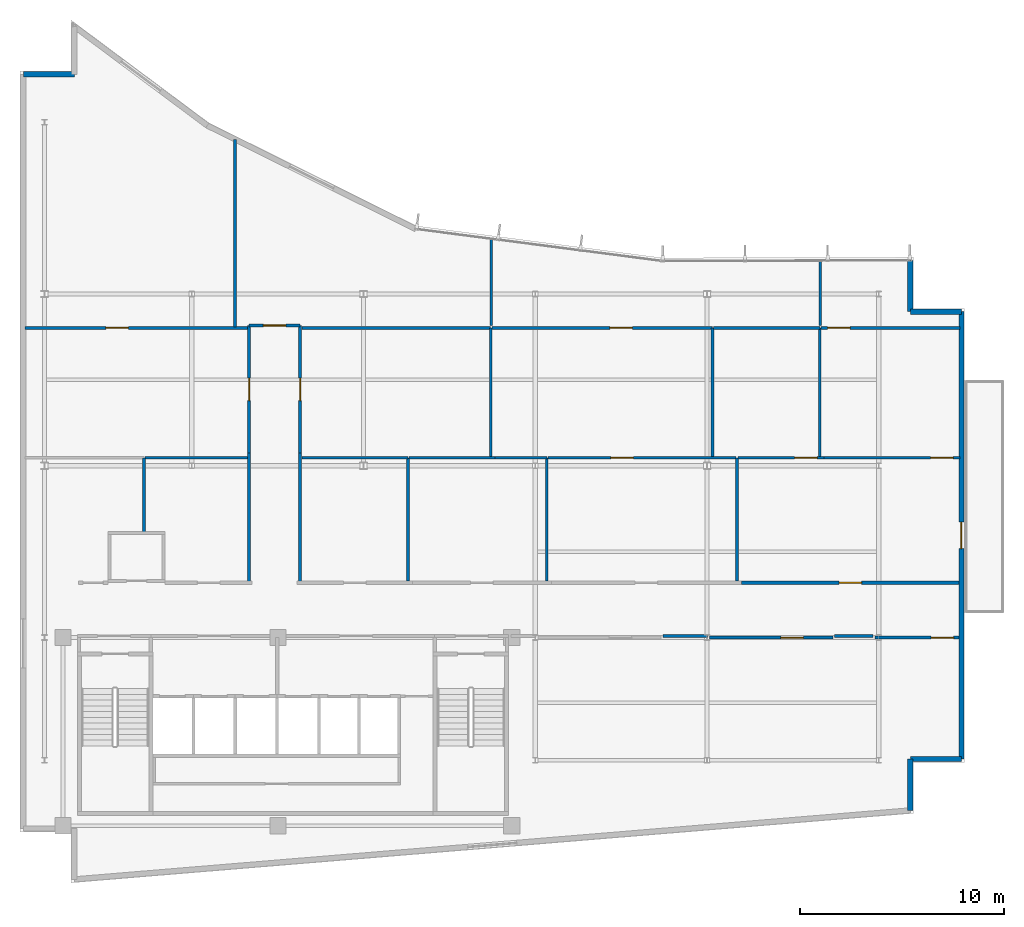
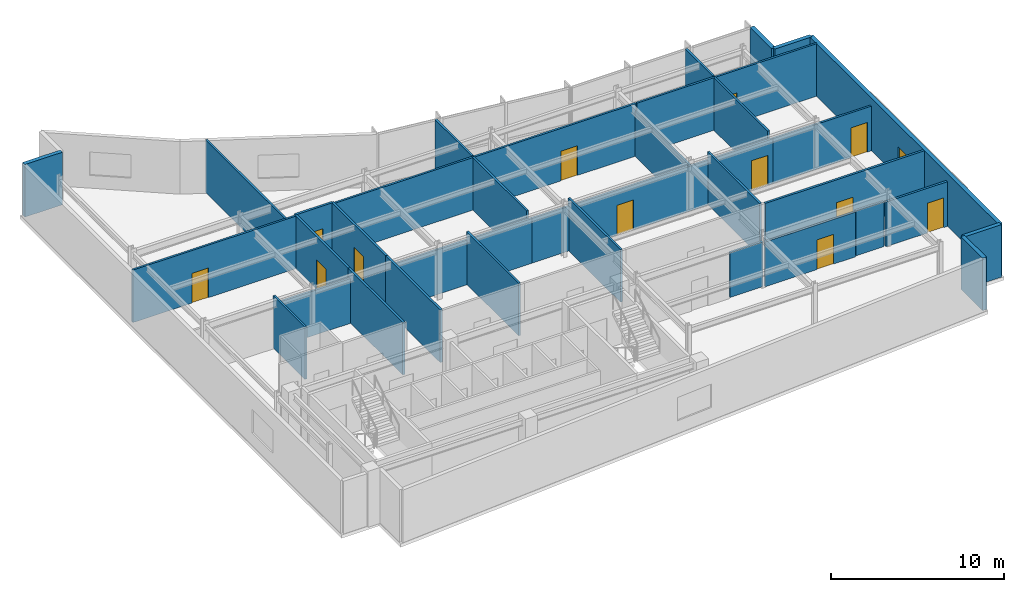
# One storey, part 11 of 15: 38 walls, 13 doors, 13 openings.
"""IFC4 building model written with IfcOpenShell, lengths in metres."""

from ifc_helpers import new_model, si_unit, direction, frame, frame_2d, origin, place, context, subcontext, project, spatial, rectangle, extrude, material, layer, layer_set, type_object, element, fill, save


model = new_model("IFC4")

# Units and contexts
model_context = context("Model", 3, precision=1e-05, world=origin(), true_north=direction((0.0, 1.0)))
body_context = subcontext(model_context, "Body", "Model", "MODEL_VIEW")
ifc_project = project(units=[si_unit("LENGTHUNIT", "METRE"), si_unit("AREAUNIT", "SQUARE_METRE"), si_unit("VOLUMEUNIT", "CUBIC_METRE"), si_unit("PLANEANGLEUNIT", "RADIAN"), si_unit("MASSUNIT", "GRAM", prefix="KILO")], contexts=[model_context])

# Site, building, storey
site_placement = place(None, origin())
site = spatial("IfcSite", under=ifc_project, at=site_placement, CompositionType="ELEMENT")
building_placement = place(site_placement, origin())
building = spatial("IfcBuilding", under=site, at=building_placement, Name="Varnakote Quay Hospital", CompositionType="ELEMENT")
storey_placement = place(building_placement, frame((0.0, 0.0, 252.60009765625)))
storey = spatial("IfcBuildingStorey", under=building, at=storey_placement, Name="L62", CompositionType="ELEMENT", Elevation=252.60009765625)

# Walls
ifc_material_1 = material(Name="Fire-rated acoustic gypsum stud wall", Category="gypsum")
ifc_layer_1 = layer(ifc_material_1, 0.159912109375)
ifc_layer_set_1 = layer_set([ifc_layer_1], Name="Fire-rated acoustic gypsum stud wall")
wall_type_1 = type_object("IfcWallType", Name="WL-COMP-160", PredefinedType="PARTITIONING", material=ifc_layer_set_1)
wall_1_placement = place(storey_placement, frame((31.439208984375, 12.080078125, 0.0), z_axis=(0.0, 0.0, 1.0), x_axis=(1.0, 0.0, 0.0)))
element("IfcWall", 1, at=wall_1_placement, inside=storey, type_object=wall_type_1, Name="L62 Corridor South Gap Wall", PredefinedType="PARTITIONING", context=body_context, shape_type="SweptSolid", body=[
    extrude(rectangle(XDim=2.198486328125, YDim=0.159912109375, at=frame_2d((1.09912109375, 0.0))), origin(), (0.0, 0.0, 1.0), 3.156982421875),
])
wall_2_placement = place(storey_placement, frame((39.83935546875, 12.080078125, 0.0), z_axis=(0.0, 0.0, 1.0), x_axis=(1.0, 0.0, 0.0)))
element("IfcWall", 2, at=wall_2_placement, inside=storey, type_object=wall_type_1, Name="L62 Corridor South Gap Wall", PredefinedType="PARTITIONING", context=body_context, shape_type="SweptSolid", body=[
    extrude(rectangle(XDim=1.871337890625, YDim=0.159912109375, at=frame_2d((0.935546875, 0.0))), origin(), (0.0, 0.0, 1.0), 3.156982421875),
])
ifc_material_2 = material(Name="Precast concrete N50 (f'c 50 MPa)", Category="concrete")
ifc_layer_2 = layer(ifc_material_2, 0.260009765625)
ifc_layer_set_2 = layer_set([ifc_layer_2], Name="Precast concrete N50 (f'c 50 MPa)")
wall_type_2 = type_object("IfcWallType", Name="WL-EXT-BRICK-260", PredefinedType="STANDARD", material=ifc_layer_set_2)
wall_3_placement = place(storey_placement, frame((43.5400390625, 3.54736328125, 0.0), z_axis=(0.0, 0.0, 1.0), x_axis=(0.0, 1.0, 0.0)))
element("IfcWall", 3, at=wall_3_placement, inside=storey, type_object=wall_type_2, Name="L62 Brick-Faced Precast Exterior Wall", PredefinedType="STANDARD", context=body_context, shape_type="SweptSolid", body=[
    extrude(rectangle(XDim=2.5126953125, YDim=0.260009765625, at=frame_2d((1.25634765625, 0.0))), origin(), (0.0, 0.0, 1.0), 3.7099609375),
])
wall_4_placement = place(storey_placement, frame((43.5400390625, 6.06005859375, 0.0), z_axis=(0.0, 0.0, 1.0), x_axis=(1.0, 0.0, 0.0)))
element("IfcWall", 4, at=wall_4_placement, inside=storey, type_object=wall_type_2, Name="L62 Brick-Faced Precast Exterior Wall", PredefinedType="STANDARD", context=body_context, shape_type="SweptSolid", body=[
    extrude(rectangle(XDim=2.5, YDim=0.260009765625, at=frame_2d((1.25, 0.0))), origin(), (0.0, 0.0, 1.0), 3.7099609375),
])

# Wall, opening, door
wall_5_placement = place(storey_placement, frame((46.0400390625, 6.06005859375, 0.0), z_axis=(0.0, 0.0, 1.0), x_axis=(0.0, 1.0, 0.0)))
wall_5 = element("IfcWall", 5, at=wall_5_placement, inside=storey, type_object=wall_type_2, Name="L62 Healing Terrace Portal Brick Wall", PredefinedType="STANDARD", context=body_context, shape_type="SweptSolid", body=[
    extrude(rectangle(XDim=21.8798828125, YDim=0.260009765625, at=frame_2d((10.93994140625, 0.0))), origin(), (0.0, 0.0, 1.0), 3.7099609375),
])
opening_1_placement = place(wall_5_placement, frame((10.2900390625, 0.0, 0.0)))
opening_1 = element("IfcOpeningElement", 6, at=opening_1_placement, cuts=wall_5, Name="Opening DT-L62", PredefinedType="OPENING", context=body_context, shape_type="SweptSolid", body=[
    extrude(rectangle(XDim=1.300048828125, YDim=2.14990234375, at=frame_2d((0.64990234375, 1.074951171875))), frame((0.0, 0.139892578125, 0.0), z_axis=(0.0, -1.0, 0.0), x_axis=(1.0, 0.0, 0.0)), (0.0, 0.0, 1.0), 0.280029296875),
])
ifc_material_3 = material(Name="Anodised aluminium glazed terrace door", Category="aluminium")
door_type_1 = type_object("IfcDoorType", Name="DR-EXT-TERR-1300x2150", OperationType="NOTDEFINED", PredefinedType="DOOR", material=ifc_material_3)
door_1_placement = place(opening_1_placement, origin())
door_1 = element("IfcDoor", 7, at=door_1_placement, inside=storey, type_object=door_type_1, Name="L62 Waterfront Healing Terrace Door", OperationType="SINGLE_SWING_LEFT", OverallHeight=2.14990234375, OverallWidth=1.300048828125, PredefinedType="DOOR", context=body_context, shape_type="SweptSolid", body=[
    extrude(rectangle(XDim=1.300048828125, YDim=2.14990234375, at=frame_2d((0.64990234375, 1.074951171875))), frame((0.0, 0.02490234375, 0.0), z_axis=(0.0, -1.0, 0.0), x_axis=(1.0, 0.0, 0.0)), (0.0, 0.0, 1.0), 0.050048828125),
])
fill(opening_1, door_1)

# Walls
wall_6_placement = place(storey_placement, frame((46.0400390625, 27.93994140625, 0.0), z_axis=(0.0, 0.0, 1.0), x_axis=(-1.0, 0.0, 0.0)))
element("IfcWall", 8, at=wall_6_placement, inside=storey, type_object=wall_type_2, Name="L62 Brick-Faced Precast Exterior Wall", PredefinedType="STANDARD", context=body_context, shape_type="SweptSolid", body=[
    extrude(rectangle(XDim=2.5, YDim=0.260009765625, at=frame_2d((1.25, 0.0))), origin(), (0.0, 0.0, 1.0), 3.7099609375),
])
wall_7_placement = place(storey_placement, frame((43.5400390625, 27.93994140625, 0.0), z_axis=(0.0, 0.0, 1.0), x_axis=(0.0, 1.0, 0.0)))
element("IfcWall", 9, at=wall_7_placement, inside=storey, type_object=wall_type_2, Name="L62 Brick-Faced Precast Exterior Wall", PredefinedType="STANDARD", context=body_context, shape_type="SweptSolid", body=[
    extrude(rectangle(XDim=2.499755859375, YDim=0.260009765625, at=frame_2d((1.25, 0.0))), origin(), (0.0, 0.0, 1.0), 3.7099609375),
])
wall_8_placement = place(storey_placement, frame((2.659912109375, 39.5400390625, 0.0), z_axis=(0.0, 0.0, 1.0), x_axis=(-1.0, 0.0, 0.0)))
element("IfcWall", 10, at=wall_8_placement, inside=storey, type_object=wall_type_2, Name="L62 Brick-Faced Precast Exterior Wall", PredefinedType="STANDARD", context=body_context, shape_type="SweptSolid", body=[
    extrude(rectangle(XDim=2.5, YDim=0.260009765625, at=frame_2d((1.25, 0.0))), origin(), (0.0, 0.0, 1.0), 3.7099609375),
])
ifc_material_4 = material(Name="Smoke-proof clinical partition", Category="gypsum")
ifc_layer_3 = layer(ifc_material_4, 0.135009765625)
ifc_layer_set_3 = layer_set([ifc_layer_3], Name="Smoke-proof clinical partition")
wall_type_3 = type_object("IfcWallType", Name="WL-SMOKE-135", PredefinedType="PARTITIONING", material=ifc_layer_set_3)
wall_9_placement = place(storey_placement, frame((6.06005859375, 17.139892578125, 0.0), z_axis=(0.0, 0.0, 1.0), x_axis=(0.0, 1.0, 0.0)))
element("IfcWall", 11, at=wall_9_placement, inside=storey, type_object=wall_type_3, Name="L62 Clinical Interior Partition", PredefinedType="PARTITIONING", context=body_context, shape_type="SweptSolid", body=[
    extrude(rectangle(XDim=3.650146484375, YDim=0.135009765625, at=frame_2d((1.8251953125, 0.0))), origin(), (0.0, 0.0, 1.0), 3.7099609375),
])
wall_10_placement = place(storey_placement, frame((11.1201171875, 20.7900390625, 0.0), z_axis=(0.0, 0.0, 1.0), x_axis=(-1.0, 0.0, 0.0)))
element("IfcWall", 12, at=wall_10_placement, inside=storey, type_object=wall_type_3, Name="L62 Clinical Interior Partition", PredefinedType="PARTITIONING", context=body_context, shape_type="SweptSolid", body=[
    extrude(rectangle(XDim=5.002685546875, YDim=0.135009765625, at=frame_2d((2.50146484375, 0.0))), origin(), (0.0, 0.0, 1.0), 3.156982421875),
])
wall_11_placement = place(storey_placement, frame((18.969970703125, 14.760009765625, 0.0), z_axis=(0.0, 0.0, 1.0), x_axis=(0.0, 1.0, 0.0)))
element("IfcWall", 13, at=wall_11_placement, inside=storey, type_object=wall_type_3, Name="L62 Clinical Interior Partition", PredefinedType="PARTITIONING", context=body_context, shape_type="SweptSolid", body=[
    extrude(rectangle(XDim=6.030029296875, YDim=0.135009765625, at=frame_2d((3.01513671875, 0.0))), origin(), (0.0, 0.0, 1.0), 3.7099609375),
])
wall_12_placement = place(storey_placement, frame((18.969970703125, 20.7900390625, 0.0), z_axis=(0.0, 0.0, 1.0), x_axis=(-1.0, 0.0, 0.0)))
element("IfcWall", 14, at=wall_12_placement, inside=storey, type_object=wall_type_3, Name="L62 Clinical Interior Partition", PredefinedType="PARTITIONING", context=body_context, shape_type="SweptSolid", body=[
    extrude(rectangle(XDim=5.18994140625, YDim=0.135009765625, at=frame_2d((2.594970703125, 0.0))), origin(), (0.0, 0.0, 1.0), 3.156982421875),
])
wall_13_placement = place(storey_placement, frame((25.760009765625, 14.760009765625, 0.0), z_axis=(0.0, 0.0, 1.0), x_axis=(0.0, 1.0, 0.0)))
element("IfcWall", 15, at=wall_13_placement, inside=storey, type_object=wall_type_3, Name="L62 Clinical Interior Partition", PredefinedType="PARTITIONING", context=body_context, shape_type="SweptSolid", body=[
    extrude(rectangle(XDim=6.030029296875, YDim=0.135009765625, at=frame_2d((3.01513671875, 0.0))), origin(), (0.0, 0.0, 1.0), 3.7099609375),
])
wall_14_placement = place(storey_placement, frame((23.2275390625, 20.7900390625, 0.0), z_axis=(0.0, 0.0, 1.0), x_axis=(-1.0, 0.0, 0.0)))
element("IfcWall", 16, at=wall_14_placement, inside=storey, type_object=wall_type_3, Name="L62 Clinical Interior Partition", PredefinedType="PARTITIONING", context=body_context, shape_type="SweptSolid", body=[
    extrude(rectangle(XDim=4.199951171875, YDim=0.135009765625, at=frame_2d((2.10009765625, 0.0))), origin(), (0.0, 0.0, 1.0), 3.156982421875),
])
wall_15_placement = place(storey_placement, frame((25.760009765625, 20.7900390625, 0.0), z_axis=(0.0, 0.0, 1.0), x_axis=(-1.0, 0.0, 0.0)))
element("IfcWall", 17, at=wall_15_placement, inside=storey, type_object=wall_type_3, Name="L62 Clinical Interior Partition", PredefinedType="PARTITIONING", context=body_context, shape_type="SweptSolid", body=[
    extrude(rectangle(XDim=2.530517578125, YDim=0.135009765625, at=frame_2d((1.26513671875, 0.0))), origin(), (0.0, 0.0, 1.0), 3.156982421875),
])
wall_16_placement = place(storey_placement, frame((35.06005859375, 14.760009765625, 0.0), z_axis=(0.0, 0.0, 1.0), x_axis=(0.0, 1.0, 0.0)))
element("IfcWall", 18, at=wall_16_placement, inside=storey, type_object=wall_type_3, Name="L62 Clinical Interior Partition", PredefinedType="PARTITIONING", context=body_context, shape_type="SweptSolid", body=[
    extrude(rectangle(XDim=6.030029296875, YDim=0.135009765625, at=frame_2d((3.01513671875, 0.0))), origin(), (0.0, 0.0, 1.0), 3.7099609375),
])

# Wall, opening, door
wall_17_placement = place(storey_placement, frame((35.00244140625, 20.7900390625, 0.0), z_axis=(0.0, 0.0, 1.0), x_axis=(-1.0, 0.0, 0.0)))
wall_17 = element("IfcWall", 19, at=wall_17_placement, inside=storey, type_object=wall_type_3, Name="L62 Clinical Interior Partition", PredefinedType="PARTITIONING", context=body_context, shape_type="SweptSolid", body=[
    extrude(rectangle(XDim=9.18505859375, YDim=0.135009765625, at=frame_2d((4.592529296875, 0.0))), origin(), (0.0, 0.0, 1.0), 3.156982421875),
])
opening_2_placement = place(wall_17_placement, frame((5.003173828125, 0.0, 0.0)))
opening_2 = element("IfcOpeningElement", 20, at=opening_2_placement, cuts=wall_17, Name="Opening D-L62-MD09", PredefinedType="OPENING", context=body_context, shape_type="SweptSolid", body=[
    extrude(rectangle(XDim=1.10009765625, YDim=2.10009765625, at=frame_2d((0.550048828125, 1.050048828125))), frame((0.0, 0.077392578125, 0.0), z_axis=(0.0, -1.0, 0.0), x_axis=(1.0, 0.0, 0.0)), (0.0, 0.0, 1.0), 0.155029296875),
])
ifc_material_5 = material(Name="Acoustic timber clinical consult door", Category="wood")
door_type_2 = type_object("IfcDoorType", Name="DR-CLIN-FD30S-1100x2100", OperationType="NOTDEFINED", PredefinedType="DOOR", material=ifc_material_5)
door_2_placement = place(opening_2_placement, origin())
door_2 = element("IfcDoor", 21, at=door_2_placement, inside=storey, type_object=door_type_2, Name="L62 Clinical Simulation Teaching Room Door", OperationType="SINGLE_SWING_RIGHT", OverallHeight=2.10009765625, OverallWidth=1.10009765625, PredefinedType="DOOR", context=body_context, shape_type="SweptSolid", body=[
    extrude(rectangle(XDim=1.10009765625, YDim=2.10009765625, at=frame_2d((0.550048828125, 1.050048828125))), frame((0.0, 0.02490234375, 0.0), z_axis=(0.0, -1.0, 0.0), x_axis=(1.0, 0.0, 0.0)), (0.0, 0.0, 1.0), 0.050048828125),
])
fill(opening_2, door_2)

wall_18_placement = place(storey_placement, frame((39.3173828125, 20.7900390625, 0.0), z_axis=(0.0, 0.0, 1.0), x_axis=(-1.0, 0.0, 0.0)))
wall_18 = element("IfcWall", 22, at=wall_18_placement, inside=storey, type_object=wall_type_3, Name="L62 Clinical Interior Partition", PredefinedType="PARTITIONING", context=body_context, shape_type="SweptSolid", body=[
    extrude(rectangle(XDim=4.199951171875, YDim=0.135009765625, at=frame_2d((2.10009765625, 0.0))), origin(), (0.0, 0.0, 1.0), 3.156982421875),
])
opening_3_placement = place(wall_18_placement, frame((0.3349609375, 0.0, 0.0)))
opening_3 = element("IfcOpeningElement", 23, at=opening_3_placement, cuts=wall_18, Name="Opening D-L62-MD10", PredefinedType="OPENING", context=body_context, shape_type="SweptSolid", body=[
    extrude(rectangle(XDim=1.10009765625, YDim=2.10009765625, at=frame_2d((0.550048828125, 1.050048828125))), frame((0.0, 0.077392578125, 0.0), z_axis=(0.0, -1.0, 0.0), x_axis=(1.0, 0.0, 0.0)), (0.0, 0.0, 1.0), 0.155029296875),
])
door_3_placement = place(opening_3_placement, origin())
door_3 = element("IfcDoor", 24, at=door_3_placement, inside=storey, type_object=door_type_2, Name="L62 Rehabilitation Therapy Treatment Suite Door", OperationType="SINGLE_SWING_LEFT", OverallHeight=2.10009765625, OverallWidth=1.10009765625, PredefinedType="DOOR", context=body_context, shape_type="SweptSolid", body=[
    extrude(rectangle(XDim=1.10009765625, YDim=2.10009765625, at=frame_2d((0.550048828125, 1.050048828125))), frame((0.0, 0.02490234375, 0.0), z_axis=(0.0, -1.0, 0.0), x_axis=(1.0, 0.0, 0.0)), (0.0, 0.0, 1.0), 0.050048828125),
])
fill(opening_3, door_3)

wall_19_placement = place(storey_placement, frame((45.9599609375, 20.7900390625, 0.0), z_axis=(0.0, 0.0, 1.0), x_axis=(-1.0, 0.0, 0.0)))
wall_19 = element("IfcWall", 25, at=wall_19_placement, inside=storey, type_object=wall_type_3, Name="L62 Clinical Interior Partition", PredefinedType="PARTITIONING", context=body_context, shape_type="SweptSolid", body=[
    extrude(rectangle(XDim=6.640380859375, YDim=0.135009765625, at=frame_2d((3.3203125, 0.0))), origin(), (0.0, 0.0, 1.0), 3.156982421875),
])
opening_4_placement = place(wall_19_placement, frame((0.32861328125, 0.0, 0.0)))
opening_4 = element("IfcOpeningElement", 26, at=opening_4_placement, cuts=wall_19, Name="Opening D-L62-DLNG", PredefinedType="OPENING", context=body_context, shape_type="SweptSolid", body=[
    extrude(rectangle(XDim=1.10009765625, YDim=2.10009765625, at=frame_2d((0.550048828125, 1.050048828125))), frame((0.0, 0.077392578125, 0.0), z_axis=(0.0, -1.0, 0.0), x_axis=(1.0, 0.0, 0.0)), (0.0, 0.0, 1.0), 0.155029296875),
])
door_4_placement = place(opening_4_placement, origin())
door_4 = element("IfcDoor", 27, at=door_4_placement, inside=storey, type_object=door_type_2, Name="L62 Waterfront Patient & Family Dayroom Door", OperationType="SINGLE_SWING_RIGHT", OverallHeight=2.10009765625, OverallWidth=1.10009765625, PredefinedType="DOOR", context=body_context, shape_type="SweptSolid", body=[
    extrude(rectangle(XDim=1.10009765625, YDim=2.10009765625, at=frame_2d((0.550048828125, 1.050048828125))), frame((0.0, 0.02490234375, 0.0), z_axis=(0.0, -1.0, 0.0), x_axis=(1.0, 0.0, 0.0)), (0.0, 0.0, 1.0), 0.050048828125),
])
fill(opening_4, door_4)

wall_20_placement = place(storey_placement, frame((11.135009765625, 27.139892578125, 0.0), z_axis=(0.0, 0.0, 1.0), x_axis=(-1.0, 0.0, 0.0)))
wall_20 = element("IfcWall", 28, at=wall_20_placement, inside=storey, type_object=wall_type_3, Name="L62 Clinical Interior Partition", PredefinedType="PARTITIONING", context=body_context, shape_type="SweptSolid", body=[
    extrude(rectangle(XDim=10.89501953125, YDim=0.135009765625, at=frame_2d((5.447509765625, 0.0))), origin(), (0.0, 0.0, 1.0), 3.7099609375),
])
opening_5_placement = place(wall_20_placement, frame((5.8369140625, 0.0, 0.0)))
opening_5 = element("IfcOpeningElement", 29, at=opening_5_placement, cuts=wall_20, Name="Opening D-L62-MD11", PredefinedType="OPENING", context=body_context, shape_type="SweptSolid", body=[
    extrude(rectangle(XDim=1.10009765625, YDim=2.10009765625, at=frame_2d((0.550048828125, 1.050048828125))), frame((0.0, 0.077392578125, 0.0), z_axis=(0.0, -1.0, 0.0), x_axis=(1.0, 0.0, 0.0)), (0.0, 0.0, 1.0), 0.155029296875),
])
door_5_placement = place(opening_5_placement, origin())
door_5 = element("IfcDoor", 30, at=door_5_placement, inside=storey, type_object=door_type_2, Name="L62 Physiotherapy Consult Office Door", OperationType="SINGLE_SWING_LEFT", OverallHeight=2.10009765625, OverallWidth=1.10009765625, PredefinedType="DOOR", context=body_context, shape_type="SweptSolid", body=[
    extrude(rectangle(XDim=1.10009765625, YDim=2.10009765625, at=frame_2d((0.550048828125, 1.050048828125))), frame((0.0, 0.02490234375, 0.0), z_axis=(0.0, -1.0, 0.0), x_axis=(1.0, 0.0, 0.0)), (0.0, 0.0, 1.0), 0.050048828125),
])
fill(opening_5, door_5)

# Walls
wall_21_placement = place(storey_placement, frame((23.02001953125, 20.847412109375, 0.0), z_axis=(0.0, 0.0, 1.0), x_axis=(0.0, 1.0, 0.0)))
element("IfcWall", 31, at=wall_21_placement, inside=storey, type_object=wall_type_3, Name="L62 Clinical Interior Partition", PredefinedType="PARTITIONING", context=body_context, shape_type="SweptSolid", body=[
    extrude(rectangle(XDim=6.29248046875, YDim=0.135009765625, at=frame_2d((3.146240234375, 0.0))), origin(), (0.0, 0.0, 1.0), 3.7099609375),
])
wall_22_placement = place(storey_placement, frame((23.02001953125, 27.139892578125, 0.0), z_axis=(0.0, 0.0, 1.0), x_axis=(-1.0, 0.0, 0.0)))
element("IfcWall", 32, at=wall_22_placement, inside=storey, type_object=wall_type_3, Name="L62 Clinical Interior Partition", PredefinedType="PARTITIONING", context=body_context, shape_type="SweptSolid", body=[
    extrude(rectangle(XDim=9.239990234375, YDim=0.135009765625, at=frame_2d((4.6201171875, 0.0))), origin(), (0.0, 0.0, 1.0), 3.7099609375),
])
wall_23_placement = place(storey_placement, frame((33.860107421875, 20.847412109375, 0.0), z_axis=(0.0, 0.0, 1.0), x_axis=(0.0, 1.0, 0.0)))
element("IfcWall", 33, at=wall_23_placement, inside=storey, type_object=wall_type_3, Name="L62 Clinical Interior Partition", PredefinedType="PARTITIONING", context=body_context, shape_type="SweptSolid", body=[
    extrude(rectangle(XDim=6.29248046875, YDim=0.135009765625, at=frame_2d((3.146240234375, 0.0))), origin(), (0.0, 0.0, 1.0), 3.156982421875),
])

# Wall, opening, door
wall_24_placement = place(storey_placement, frame((33.860107421875, 27.139892578125, 0.0), z_axis=(0.0, 0.0, 1.0), x_axis=(-1.0, 0.0, 0.0)))
wall_24 = element("IfcWall", 34, at=wall_24_placement, inside=storey, type_object=wall_type_3, Name="L62 Clinical Interior Partition", PredefinedType="PARTITIONING", context=body_context, shape_type="SweptSolid", body=[
    extrude(rectangle(XDim=10.78271484375, YDim=0.135009765625, at=frame_2d((5.391357421875, 0.0))), origin(), (0.0, 0.0, 1.0), 3.7099609375),
])
opening_6_placement = place(wall_24_placement, frame((3.9130859375, 0.0, 0.0)))
opening_6 = element("IfcOpeningElement", 35, at=opening_6_placement, cuts=wall_24, Name="Opening D-L62-MD13", PredefinedType="OPENING", context=body_context, shape_type="SweptSolid", body=[
    extrude(rectangle(XDim=1.10009765625, YDim=2.10009765625, at=frame_2d((0.550048828125, 1.050048828125))), frame((0.0, 0.077392578125, 0.0), z_axis=(0.0, -1.0, 0.0), x_axis=(1.0, 0.0, 0.0)), (0.0, 0.0, 1.0), 0.155029296875),
])
door_6_placement = place(opening_6_placement, origin())
door_6 = element("IfcDoor", 36, at=door_6_placement, inside=storey, type_object=door_type_2, Name="L62 Clinical Simulation Teaching Room Door", OperationType="SINGLE_SWING_RIGHT", OverallHeight=2.10009765625, OverallWidth=1.10009765625, PredefinedType="DOOR", context=body_context, shape_type="SweptSolid", body=[
    extrude(rectangle(XDim=1.10009765625, YDim=2.10009765625, at=frame_2d((0.550048828125, 1.050048828125))), frame((0.0, 0.02490234375, 0.0), z_axis=(0.0, -1.0, 0.0), x_axis=(1.0, 0.0, 0.0)), (0.0, 0.0, 1.0), 0.050048828125),
])
fill(opening_6, door_6)

# Walls
wall_25_placement = place(storey_placement, frame((39.110107421875, 20.847412109375, 0.0), z_axis=(0.0, 0.0, 1.0), x_axis=(0.0, 1.0, 0.0)))
element("IfcWall", 37, at=wall_25_placement, inside=storey, type_object=wall_type_3, Name="L62 Clinical Interior Partition", PredefinedType="PARTITIONING", context=body_context, shape_type="SweptSolid", body=[
    extrude(rectangle(XDim=6.29248046875, YDim=0.135009765625, at=frame_2d((3.146240234375, 0.0))), origin(), (0.0, 0.0, 1.0), 3.7099609375),
])
wall_26_placement = place(storey_placement, frame((39.110107421875, 27.139892578125, 0.0), z_axis=(0.0, 0.0, 1.0), x_axis=(-1.0, 0.0, 0.0)))
element("IfcWall", 38, at=wall_26_placement, inside=storey, type_object=wall_type_3, Name="L62 Clinical Interior Partition", PredefinedType="PARTITIONING", context=body_context, shape_type="SweptSolid", body=[
    extrude(rectangle(XDim=5.192626953125, YDim=0.135009765625, at=frame_2d((2.59619140625, 0.0))), origin(), (0.0, 0.0, 1.0), 3.7099609375),
])

# Wall, opening, door
wall_27_placement = place(storey_placement, frame((45.9599609375, 27.139892578125, 0.0), z_axis=(0.0, 0.0, 1.0), x_axis=(-1.0, 0.0, 0.0)))
wall_27 = element("IfcWall", 39, at=wall_27_placement, inside=storey, type_object=wall_type_3, Name="L62 Clinical Interior Partition", PredefinedType="PARTITIONING", context=body_context, shape_type="SweptSolid", body=[
    extrude(rectangle(XDim=6.79248046875, YDim=0.135009765625, at=frame_2d((3.396240234375, 0.0))), origin(), (0.0, 0.0, 1.0), 3.7099609375),
])
opening_7_placement = place(wall_27_placement, frame((5.360107421875, 0.0, 0.0)))
opening_7 = element("IfcOpeningElement", 40, at=opening_7_placement, cuts=wall_27, Name="Opening D-L62-MD14", PredefinedType="OPENING", context=body_context, shape_type="SweptSolid", body=[
    extrude(rectangle(XDim=1.10009765625, YDim=2.10009765625, at=frame_2d((0.550048828125, 1.050048828125))), frame((0.0, 0.077392578125, 0.0), z_axis=(0.0, -1.0, 0.0), x_axis=(1.0, 0.0, 0.0)), (0.0, 0.0, 1.0), 0.155029296875),
])
door_7_placement = place(opening_7_placement, origin())
door_7 = element("IfcDoor", 41, at=door_7_placement, inside=storey, type_object=door_type_2, Name="L62 Rehabilitation Therapy Treatment Suite Door", OperationType="SINGLE_SWING_LEFT", OverallHeight=2.10009765625, OverallWidth=1.10009765625, PredefinedType="DOOR", context=body_context, shape_type="SweptSolid", body=[
    extrude(rectangle(XDim=1.10009765625, YDim=2.10009765625, at=frame_2d((0.550048828125, 1.050048828125))), frame((0.0, 0.02490234375, 0.0), z_axis=(0.0, -1.0, 0.0), x_axis=(1.0, 0.0, 0.0)), (0.0, 0.0, 1.0), 0.050048828125),
])
fill(opening_7, door_7)

# Walls
wall_28_placement = place(storey_placement, frame((10.52001953125, 27.197509765625, 0.0), z_axis=(0.0, 0.0, 1.0), x_axis=(0.0, 1.0, 0.0)))
element("IfcWall", 42, at=wall_28_placement, inside=storey, type_object=wall_type_3, Name="L62 Clinical Interior Partition", PredefinedType="PARTITIONING", context=body_context, shape_type="SweptSolid", body=[
    extrude(rectangle(XDim=9.1640625, YDim=0.135009765625, at=frame_2d((4.58203125, 0.0))), origin(), (0.0, 0.0, 1.0), 3.7099609375),
])
wall_29_placement = place(storey_placement, frame((23.0400390625, 27.260009765625, 0.0), z_axis=(0.0, 0.0, 1.0), x_axis=(0.0, 1.0, 0.0)))
element("IfcWall", 43, at=wall_29_placement, inside=storey, type_object=wall_type_3, Name="L62 Clinical Interior Partition", PredefinedType="PARTITIONING", context=body_context, shape_type="SweptSolid", body=[
    extrude(rectangle(XDim=4.234375, YDim=0.135009765625, at=frame_2d((2.1171875, 0.0))), origin(), (0.0, 0.0, 1.0), 3.7099609375),
])
wall_30_placement = place(storey_placement, frame((39.139892578125, 27.260009765625, 0.0), z_axis=(0.0, 0.0, 1.0), x_axis=(0.0, 1.0, 0.0)))
element("IfcWall", 44, at=wall_30_placement, inside=storey, type_object=wall_type_3, Name="L62 Clinical Interior Partition", PredefinedType="PARTITIONING", context=body_context, shape_type="SweptSolid", body=[
    extrude(rectangle(XDim=3.16796875, YDim=0.135009765625, at=frame_2d((1.583984375, 0.0))), origin(), (0.0, 0.0, 1.0), 3.7099609375),
])

# Wall, opening, door
ifc_material_6 = material(Name="Fire-rated clinical gypsum partition", Category="gypsum")
ifc_layer_4 = layer(ifc_material_6, 0.14990234375)
ifc_layer_set_4 = layer_set([ifc_layer_4], Name="Fire-rated clinical gypsum partition")
wall_type_4 = type_object("IfcWallType", Name="WL-WARD-150", PredefinedType="PARTITIONING", material=ifc_layer_set_4)
wall_31_placement = place(storey_placement, frame((39.75, 12.0, 0.0), z_axis=(0.0, 0.0, 1.0), x_axis=(-1.0, 0.0, 0.0)))
wall_31 = element("IfcWall", 45, at=wall_31_placement, inside=storey, type_object=wall_type_4, Name="L62 Clinical Interior Partition", PredefinedType="PARTITIONING", context=body_context, shape_type="SweptSolid", body=[
    extrude(rectangle(XDim=6.02294921875, YDim=0.14990234375, at=frame_2d((3.011474609375, 0.0))), origin(), (0.0, 0.0, 1.0), 3.156982421875),
])
opening_8_placement = place(wall_31_placement, frame((1.44384765625, 0.0, 0.0)))
opening_8 = element("IfcOpeningElement", 46, at=opening_8_placement, cuts=wall_31, Name="Opening D-L62-RM1", PredefinedType="OPENING", context=body_context, shape_type="SweptSolid", body=[
    extrude(rectangle(XDim=1.10009765625, YDim=2.10009765625, at=frame_2d((0.550048828125, 1.050048828125))), frame((0.0, 0.0849609375, 0.0), z_axis=(0.0, -1.0, 0.0), x_axis=(1.0, 0.0, 0.0)), (0.0, 0.0, 1.0), 0.169921875),
])
door_8_placement = place(opening_8_placement, origin())
door_8 = element("IfcDoor", 47, at=door_8_placement, inside=storey, type_object=door_type_2, Name="L62 Cardiac Telemetry Treatment Suite Door", OperationType="SINGLE_SWING_LEFT", OverallHeight=2.10009765625, OverallWidth=1.10009765625, PredefinedType="DOOR", context=body_context, shape_type="SweptSolid", body=[
    extrude(rectangle(XDim=1.10009765625, YDim=2.10009765625, at=frame_2d((0.550048828125, 1.050048828125))), frame((0.0, 0.02490234375, 0.0), z_axis=(0.0, -1.0, 0.0), x_axis=(1.0, 0.0, 0.0)), (0.0, 0.0, 1.0), 0.050048828125),
])
fill(opening_8, door_8)

wall_32_placement = place(storey_placement, frame((45.919921875, 12.0, 0.0), z_axis=(0.0, 0.0, 1.0), x_axis=(-1.0, 0.0, 0.0)))
wall_32 = element("IfcWall", 48, at=wall_32_placement, inside=storey, type_object=wall_type_4, Name="L62 Clinical Interior Partition", PredefinedType="PARTITIONING", context=body_context, shape_type="SweptSolid", body=[
    extrude(rectangle(XDim=4.119873046875, YDim=0.14990234375, at=frame_2d((2.06005859375, 0.0))), origin(), (0.0, 0.0, 1.0), 3.156982421875),
])
opening_9_placement = place(wall_32_placement, frame((0.265380859375, 0.0, 0.0)))
opening_9 = element("IfcOpeningElement", 49, at=opening_9_placement, cuts=wall_32, Name="Opening D-L62-SE1", PredefinedType="OPENING", context=body_context, shape_type="SweptSolid", body=[
    extrude(rectangle(XDim=1.10009765625, YDim=2.10009765625, at=frame_2d((0.550048828125, 1.050048828125))), frame((0.0, 0.0849609375, 0.0), z_axis=(0.0, -1.0, 0.0), x_axis=(1.0, 0.0, 0.0)), (0.0, 0.0, 1.0), 0.169921875),
])
door_9_placement = place(opening_9_placement, origin())
door_9 = element("IfcDoor", 50, at=door_9_placement, inside=storey, type_object=door_type_2, Name="L62 Clinical Biomedical Engineering Office Door", OperationType="SINGLE_SWING_RIGHT", OverallHeight=2.10009765625, OverallWidth=1.10009765625, PredefinedType="DOOR", context=body_context, shape_type="SweptSolid", body=[
    extrude(rectangle(XDim=1.10009765625, YDim=2.10009765625, at=frame_2d((0.550048828125, 1.050048828125))), frame((0.0, 0.02490234375, 0.0), z_axis=(0.0, -1.0, 0.0), x_axis=(1.0, 0.0, 0.0)), (0.0, 0.0, 1.0), 0.050048828125),
])
fill(opening_9, door_9)

wall_33_placement = place(storey_placement, frame((45.919921875, 14.679931640625, 0.0), z_axis=(0.0, 0.0, 1.0), x_axis=(-1.0, 0.0, 0.0)))
wall_33 = element("IfcWall", 51, at=wall_33_placement, inside=storey, type_object=wall_type_4, Name="L62 Clinical Interior Partition", PredefinedType="PARTITIONING", context=body_context, shape_type="SweptSolid", body=[
    extrude(rectangle(XDim=10.6318359375, YDim=0.14990234375, at=frame_2d((5.31591796875, 0.0))), origin(), (0.0, 0.0, 1.0), 3.7099609375),
])
opening_10_placement = place(wall_33_placement, frame((4.76611328125, 0.0, 0.0)))
opening_10 = element("IfcOpeningElement", 52, at=opening_10_placement, cuts=wall_33, Name="Opening D-L62-MD06", PredefinedType="OPENING", context=body_context, shape_type="SweptSolid", body=[
    extrude(rectangle(XDim=1.10009765625, YDim=2.10009765625, at=frame_2d((0.550048828125, 1.050048828125))), frame((0.0, 0.0849609375, 0.0), z_axis=(0.0, -1.0, 0.0), x_axis=(1.0, 0.0, 0.0)), (0.0, 0.0, 1.0), 0.169921875),
])
door_10_placement = place(opening_10_placement, origin())
door_10 = element("IfcDoor", 53, at=door_10_placement, inside=storey, type_object=door_type_2, Name="L62 Rehabilitation Therapy Treatment Suite Door", OperationType="SINGLE_SWING_RIGHT", OverallHeight=2.10009765625, OverallWidth=1.10009765625, PredefinedType="DOOR", context=body_context, shape_type="SweptSolid", body=[
    extrude(rectangle(XDim=1.10009765625, YDim=2.10009765625, at=frame_2d((0.550048828125, 1.050048828125))), frame((0.0, 0.02490234375, 0.0), z_axis=(0.0, -1.0, 0.0), x_axis=(1.0, 0.0, 0.0)), (0.0, 0.0, 1.0), 0.050048828125),
])
fill(opening_10, door_10)

# Walls
for number, where, z_axis, x_axis, name in (
    (54, (11.199951171875, 21.01611328125, 0.0), (0.0, 0.0, 1.0), (0.0, -1.0, 0.0), "L62 Clinical Interior Partition"),
    (55, (13.699951171875, 14.699951171875, 0.0), (0.0, 0.0, 1.0), (0.0, 1.0, 0.0), "L62 Clinical Interior Partition"),
):
    element("IfcWall", number, at=place(storey_placement, frame(where, z_axis=z_axis, x_axis=x_axis)), inside=storey, type_object=wall_type_4, Name=name, PredefinedType="PARTITIONING", context=body_context, shape_type="SweptSolid", body=[
        extrude(rectangle(XDim=6.316162109375, YDim=0.14990234375, at=frame_2d((3.158203125, 0.0))), origin(), (0.0, 0.0, 1.0), 3.7099609375),
    ])

# Wall, opening, door
wall_34_placement = place(storey_placement, frame((11.199951171875, 27.260009765625, 0.0), z_axis=(0.0, 0.0, 1.0), x_axis=(0.0, -1.0, 0.0)))
wall_34 = element("IfcWall", 56, at=wall_34_placement, inside=storey, type_object=wall_type_4, Name="L62 Clinical Interior Partition", PredefinedType="PARTITIONING", context=body_context, shape_type="SweptSolid", body=[
    extrude(rectangle(XDim=6.241943359375, YDim=0.14990234375, at=frame_2d((3.12109375, 0.0))), origin(), (0.0, 0.0, 1.0), 3.7099609375),
])
opening_11_placement = place(wall_34_placement, frame((2.571044921875, 0.0, 0.0)))
opening_11 = element("IfcOpeningElement", 57, at=opening_11_placement, cuts=wall_34, Name="Opening D-L62-MD07", PredefinedType="OPENING", context=body_context, shape_type="SweptSolid", body=[
    extrude(rectangle(XDim=1.10009765625, YDim=2.10009765625, at=frame_2d((0.550048828125, 1.050048828125))), frame((0.0, 0.0849609375, 0.0), z_axis=(0.0, -1.0, 0.0), x_axis=(1.0, 0.0, 0.0)), (0.0, 0.0, 1.0), 0.169921875),
])
door_11_placement = place(opening_11_placement, origin())
door_11 = element("IfcDoor", 58, at=door_11_placement, inside=storey, type_object=door_type_2, Name="L62 Physiotherapy Consult Office Door", OperationType="SINGLE_SWING_LEFT", OverallHeight=2.10009765625, OverallWidth=1.10009765625, PredefinedType="DOOR", context=body_context, shape_type="SweptSolid", body=[
    extrude(rectangle(XDim=1.10009765625, YDim=2.10009765625, at=frame_2d((0.550048828125, 1.050048828125))), frame((0.0, 0.02490234375, 0.0), z_axis=(0.0, -1.0, 0.0), x_axis=(1.0, 0.0, 0.0)), (0.0, 0.0, 1.0), 0.050048828125),
])
fill(opening_11, door_11)

wall_35_placement = place(storey_placement, frame((13.699951171875, 21.01806640625, 0.0), z_axis=(0.0, 0.0, 1.0), x_axis=(0.0, 1.0, 0.0)))
wall_35 = element("IfcWall", 59, at=wall_35_placement, inside=storey, type_object=wall_type_4, Name="L62 Clinical Interior Partition", PredefinedType="PARTITIONING", context=body_context, shape_type="SweptSolid", body=[
    extrude(rectangle(XDim=6.241943359375, YDim=0.14990234375, at=frame_2d((3.12109375, 0.0))), origin(), (0.0, 0.0, 1.0), 3.7099609375),
])
opening_12_placement = place(wall_35_placement, frame((2.571044921875, 0.0, 0.0)))
opening_12 = element("IfcOpeningElement", 60, at=opening_12_placement, cuts=wall_35, Name="Opening D-L62-MD08", PredefinedType="OPENING", context=body_context, shape_type="SweptSolid", body=[
    extrude(rectangle(XDim=1.10009765625, YDim=2.10009765625, at=frame_2d((0.550048828125, 1.050048828125))), frame((0.0, 0.0849609375, 0.0), z_axis=(0.0, -1.0, 0.0), x_axis=(1.0, 0.0, 0.0)), (0.0, 0.0, 1.0), 0.169921875),
])
door_12_placement = place(opening_12_placement, origin())
door_12 = element("IfcDoor", 61, at=door_12_placement, inside=storey, type_object=door_type_2, Name="L62 Case Review Meeting Room Door", OperationType="SINGLE_SWING_RIGHT", OverallHeight=2.10009765625, OverallWidth=1.10009765625, PredefinedType="DOOR", context=body_context, shape_type="SweptSolid", body=[
    extrude(rectangle(XDim=1.10009765625, YDim=2.10009765625, at=frame_2d((0.550048828125, 1.050048828125))), frame((0.0, 0.02490234375, 0.0), z_axis=(0.0, -1.0, 0.0), x_axis=(1.0, 0.0, 0.0)), (0.0, 0.0, 1.0), 0.050048828125),
])
fill(opening_12, door_12)

wall_36_placement = place(storey_placement, frame((13.699951171875, 27.260009765625, 0.0), z_axis=(0.0, 0.0, 1.0), x_axis=(-1.0, 0.0, 0.0)))
wall_36 = element("IfcWall", 62, at=wall_36_placement, inside=storey, type_object=wall_type_4, Name="L62 Clinical Interior Partition", PredefinedType="PARTITIONING", context=body_context, shape_type="SweptSolid", body=[
    extrude(rectangle(XDim=2.5, YDim=0.14990234375, at=frame_2d((1.25, 0.0))), origin(), (0.0, 0.0, 1.0), 3.7099609375),
])
opening_13_placement = place(wall_36_placement, frame((0.699951171875, 0.0, 0.0)))
opening_13 = element("IfcOpeningElement", 63, at=opening_13_placement, cuts=wall_36, Name="Opening D-L62-MD12", PredefinedType="OPENING", context=body_context, shape_type="SweptSolid", body=[
    extrude(rectangle(XDim=1.10009765625, YDim=2.10009765625, at=frame_2d((0.550048828125, 1.050048828125))), frame((0.0, 0.0849609375, 0.0), z_axis=(0.0, -1.0, 0.0), x_axis=(1.0, 0.0, 0.0)), (0.0, 0.0, 1.0), 0.169921875),
])
door_13_placement = place(opening_13_placement, origin())
door_13 = element("IfcDoor", 64, at=door_13_placement, inside=storey, type_object=door_type_2, Name="L62 Case Review Meeting Room Door", OperationType="SINGLE_SWING_LEFT", OverallHeight=2.10009765625, OverallWidth=1.10009765625, PredefinedType="DOOR", context=body_context, shape_type="SweptSolid", body=[
    extrude(rectangle(XDim=1.10009765625, YDim=2.10009765625, at=frame_2d((0.550048828125, 1.050048828125))), frame((0.0, 0.02490234375, 0.0), z_axis=(0.0, -1.0, 0.0), x_axis=(1.0, 0.0, 0.0)), (0.0, 0.0, 1.0), 0.050048828125),
])
fill(opening_13, door_13)

save(model, "model.ifc")
